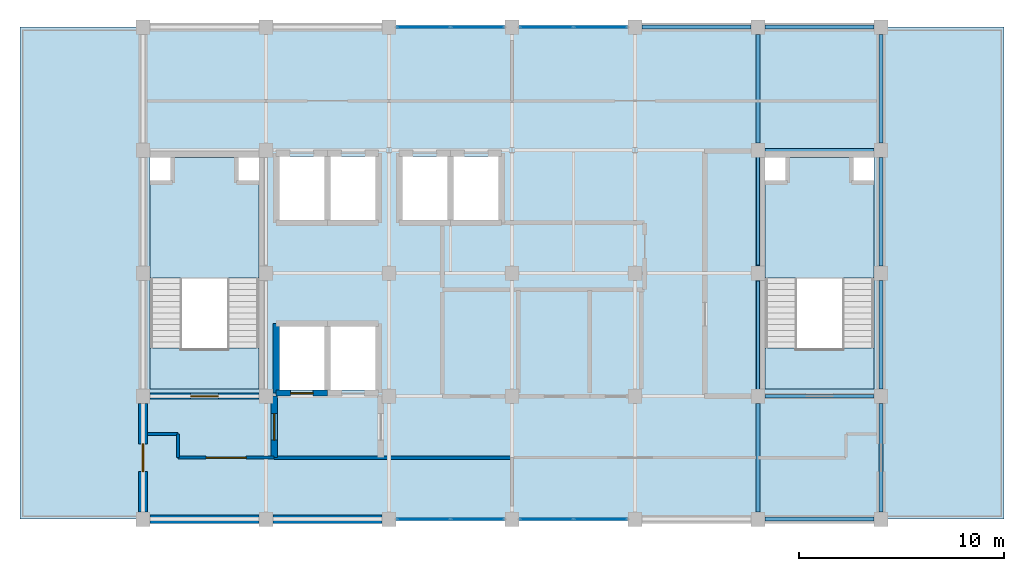
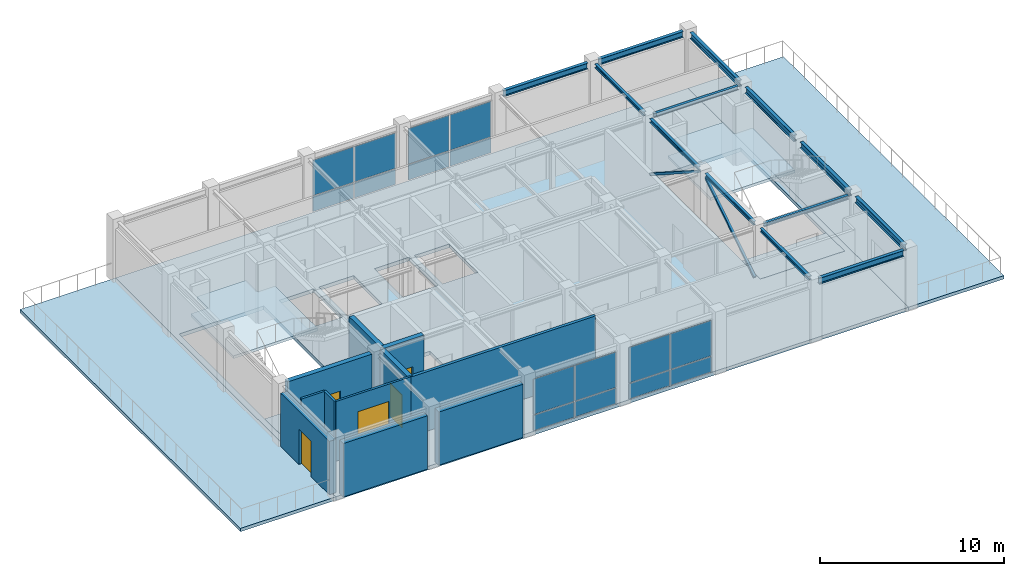
# One storey, part 11 of 14: 16 plates, 13 beams, 11 walls, 7 slabs, 5 doors, 2 members, 5 openings, 6 elements without a shape of their own.
"""IFC4 building model written with IfcOpenShell, lengths in metres."""

from ifc_helpers import new_model, si_unit, direction, frame, frame_2d, origin, origin_2d, place, context, subcontext, project, spatial, polyline, rectangle, hollow_rectangle, i_section, outline, extrude, material, layer, layer_set, material_profile, profile_set, type_object, element, fill, aggregate, save


model = new_model("IFC4")

# Units and contexts
model_context = context("Model", 3, precision=1e-05, world=origin(), true_north=direction((0.0, 1.0)))
body_context = subcontext(model_context, "Body", "Model", "MODEL_VIEW")
ifc_project = project(units=[si_unit("LENGTHUNIT", "METRE"), si_unit("AREAUNIT", "SQUARE_METRE"), si_unit("VOLUMEUNIT", "CUBIC_METRE"), si_unit("PLANEANGLEUNIT", "RADIAN"), si_unit("MASSUNIT", "GRAM", prefix="KILO")], contexts=[model_context])

# Site, building, storey
site_placement = place(None, origin())
site = spatial("IfcSite", under=ifc_project, at=site_placement, CompositionType="ELEMENT")
building_placement = place(site_placement, origin())
building = spatial("IfcBuilding", under=site, at=building_placement, Name="Zlatovratsky Civic Hall", CompositionType="ELEMENT")
storey_placement = place(building_placement, frame((0.0, 0.0, 67.800048828125)))
storey = spatial("IfcBuildingStorey", under=building, at=storey_placement, Name="L17", CompositionType="ELEMENT", Elevation=67.800048828125)

# Beams
ifc_material_1 = material(Name="Steel S355", Category="steel")
ifc_material_profile_1 = material_profile(ifc_material_1, i_section(OverallWidth=0.175048828125, OverallDepth=0.243896484375, WebThickness=0.007080078125, FlangeThickness=0.010986328125, FilletRadius=0.01611328125, at=origin_2d()), Name="25Sh1")
ifc_profile_set_1 = profile_set([ifc_material_profile_1], Name="Steel S355")
beam_type_1 = type_object("IfcBeamType", Name="Beam_Crown_25Sh1", PredefinedType="BEAM", material=ifc_profile_set_1)
for number, where, z_axis, x_axis, name in (
    (1, (96.35009765625, 84.0, 3.837890625), (1.0, 0.0, 0.0), (0.0, 1.0, 0.0), "BM-5204"),
    (2, (96.35009765625, 96.0, 3.837890625), (1.0, 0.0, 0.0), (0.0, 1.0, 0.0), "BM-5214"),
    (3, (96.0, 78.35009765625, 3.837890625), (0.0, 1.0, 0.0), (-1.0, 0.0, 0.0), "BM-5241"),
    (4, (96.0, 84.35009765625, 3.837890625), (0.0, 1.0, 0.0), (-1.0, 0.0, 0.0), "BM-5242"),
    (5, (96.0, 90.35009765625, 3.837890625), (0.0, 1.0, 0.0), (-1.0, 0.0, 0.0), "BM-5243"),
    (6, (96.0, 96.35009765625, 3.837890625), (0.0, 1.0, 0.0), (-1.0, 0.0, 0.0), "BM-5244"),
):
    element("IfcBeam", number, at=place(storey_placement, frame(where, z_axis=z_axis, x_axis=x_axis)), inside=storey, type_object=beam_type_1, Name=name, PredefinedType="BEAM", context=body_context, shape_type="SweptSolid", body=[
        extrude(i_section(OverallWidth=0.175048828125, OverallDepth=0.243896484375, WebThickness=0.007080078125, FlangeThickness=0.010986328125, FilletRadius=0.01611328125, at=origin_2d()), origin(), (0.0, 0.0, 1.0), 5.2998046875),
    ])
ifc_material_profile_2 = material_profile(ifc_material_1, i_section(OverallWidth=0.199951171875, OverallDepth=0.39990234375, WebThickness=0.008056640625, FlangeThickness=0.012939453125, FilletRadius=0.014892578125, at=origin_2d()), Name="40B2")
ifc_profile_set_2 = profile_set([ifc_material_profile_2], Name="Steel S355")
beam_type_2 = type_object("IfcBeamType", Name="Beam_Spandrel_40B2", PredefinedType="SPANDREL", material=ifc_profile_set_2)
for number, where, z_axis, x_axis, name in (
    (7, (96.35009765625, 78.0, 3.760009765625), (1.0, 0.0, 0.0), (0.0, 1.0, 0.0), "BM-5198"),
    (8, (90.35009765625, 102.0, 3.760009765625), (1.0, 0.0, 0.0), (0.0, 1.0, 0.0), "BM-5219"),
    (9, (96.35009765625, 102.0, 3.760009765625), (1.0, 0.0, 0.0), (0.0, 1.0, 0.0), "BM-5220"),
    (10, (102.0, 78.35009765625, 3.760009765625), (0.0, 1.0, 0.0), (-1.0, 0.0, 0.0), "BM-5245"),
    (11, (102.0, 84.35009765625, 3.760009765625), (0.0, 1.0, 0.0), (-1.0, 0.0, 0.0), "BM-5246"),
    (12, (102.0, 90.35009765625, 3.760009765625), (0.0, 1.0, 0.0), (-1.0, 0.0, 0.0), "BM-5247"),
    (13, (102.0, 96.35009765625, 3.760009765625), (0.0, 1.0, 0.0), (-1.0, 0.0, 0.0), "BM-5248"),
):
    element("IfcBeam", number, at=place(storey_placement, frame(where, z_axis=z_axis, x_axis=x_axis)), inside=storey, type_object=beam_type_2, Name=name, PredefinedType="SPANDREL", context=body_context, shape_type="SweptSolid", body=[
        extrude(i_section(OverallWidth=0.199951171875, OverallDepth=0.39990234375, WebThickness=0.008056640625, FlangeThickness=0.012939453125, FilletRadius=0.014892578125, at=origin_2d()), origin(), (0.0, 0.0, 1.0), 5.2998046875),
    ])

# Members
ifc_material_profile_3 = material_profile(ifc_material_1, hollow_rectangle(XDim=0.139892578125, YDim=0.139892578125, WallThickness=0.006103515625, at=origin_2d()), Name="SHS 140x140x6")
ifc_profile_set_3 = profile_set([ifc_material_profile_3], Name="Steel S355")
member_type = type_object("IfcMemberType", Name="Brace_Crown_SHS140", PredefinedType="BRACE", material=ifc_profile_set_3)
for number, where, z_axis, x_axis, name in (
    (14, (96.0, 84.35009765625, 0.25), (0.0, 0.841692087363, 0.539957803972), (-1.0, 0.0, 0.0), "MB-0174"),
    (15, (96.0, 90.35009765625, 3.64990234375), (0.0, 0.841692087363, -0.539957803972), (-1.0, 0.0, 0.0), "MB-0175"),
):
    element("IfcMember", number, at=place(storey_placement, frame(where, z_axis=z_axis, x_axis=x_axis)), inside=storey, type_object=member_type, Name=name, PredefinedType="BRACE", context=body_context, shape_type="SweptSolid", body=[
        extrude(hollow_rectangle(XDim=0.139892578125, YDim=0.139892578125, WallThickness=0.006103515625, at=origin_2d()), origin(), (0.0, 0.0, 1.0), 6.296630859375),
    ])

# Curtain wall, plates
ifc_material_2 = material(Name="Anodised bronze aluminium", Category="aluminium")
ifc_layer_1 = layer(ifc_material_2, 0.159912109375)
ifc_layer_set_1 = layer_set([ifc_layer_1], Name="Anodised bronze aluminium")
curtain_wall_type = type_object("IfcCurtainWallType", Name="CurtainWall_Bronze_5300x3540_25", PredefinedType="NOTDEFINED", material=ifc_layer_set_1)
curtain_wall_1_placement = place(storey_placement, origin())
curtain_wall_1 = element("IfcCurtainWall", 16, at=curtain_wall_1_placement, inside=storey, type_object=curtain_wall_type, Name="CW-177", PredefinedType="NOTDEFINED")
ifc_material_3 = material(Name="Solar-control triple glazing", Category="glass")
ifc_layer_2 = layer(ifc_material_3, 0.031982421875)
ifc_layer_set_2 = layer_set([ifc_layer_2], Name="Solar-control triple glazing")
plate_type = type_object("IfcPlateType", Name="Panel_BelvedereAcoustic_32", PredefinedType="CURTAIN_PANEL", material=ifc_layer_set_2)
plate_1_placement = place(storey_placement, frame((79.68994140625, 78.0, 0.06005859375), z_axis=(0.0, 0.0, 1.0), x_axis=(1.0, 0.0, 0.0)))
plate_1 = element("IfcPlate", 17, at=plate_1_placement, type_object=plate_type, Name="CW-25 panel 1.1", PredefinedType="CURTAIN_PANEL", context=body_context, shape_type="SweptSolid", body=[
    extrude(rectangle(XDim=2.56005859375, YDim=0.031982421875, at=origin_2d()), origin(), (0.0, 0.0, 1.0), 1.010009765625),
])
plate_2_placement = place(storey_placement, frame((79.68994140625, 78.0, 1.1298828125), z_axis=(0.0, 0.0, 1.0), x_axis=(1.0, 0.0, 0.0)))
plate_2 = element("IfcPlate", 18, at=plate_2_placement, type_object=plate_type, Name="CW-25 panel 1.2", PredefinedType="CURTAIN_PANEL", context=body_context, shape_type="SweptSolid", body=[
    extrude(rectangle(XDim=2.56005859375, YDim=0.031982421875, at=origin_2d()), origin(), (0.0, 0.0, 1.0), 2.35009765625),
])
plate_3_placement = place(storey_placement, frame((82.31005859375, 78.0, 0.06005859375), z_axis=(0.0, 0.0, 1.0), x_axis=(1.0, 0.0, 0.0)))
plate_3 = element("IfcPlate", 19, at=plate_3_placement, type_object=plate_type, Name="CW-25 panel 2.1", PredefinedType="CURTAIN_PANEL", context=body_context, shape_type="SweptSolid", body=[
    extrude(rectangle(XDim=2.56005859375, YDim=0.031982421875, at=origin_2d()), origin(), (0.0, 0.0, 1.0), 1.010009765625),
])
plate_4_placement = place(storey_placement, frame((82.31005859375, 78.0, 1.1298828125), z_axis=(0.0, 0.0, 1.0), x_axis=(1.0, 0.0, 0.0)))
plate_4 = element("IfcPlate", 20, at=plate_4_placement, type_object=plate_type, Name="CW-25 panel 2.2", PredefinedType="CURTAIN_PANEL", context=body_context, shape_type="SweptSolid", body=[
    extrude(rectangle(XDim=2.56005859375, YDim=0.031982421875, at=origin_2d()), origin(), (0.0, 0.0, 1.0), 2.35009765625),
])
aggregate(curtain_wall_1, [plate_1, plate_2, plate_3, plate_4])

curtain_wall_2_placement = place(storey_placement, origin())
curtain_wall_2 = element("IfcCurtainWall", 21, at=curtain_wall_2_placement, inside=storey, type_object=curtain_wall_type, Name="CW-178", PredefinedType="NOTDEFINED")
plate_5_placement = place(storey_placement, frame((85.68994140625, 78.0, 0.06005859375), z_axis=(0.0, 0.0, 1.0), x_axis=(1.0, 0.0, 0.0)))
plate_5 = element("IfcPlate", 22, at=plate_5_placement, type_object=plate_type, Name="CW-25 panel 1.1", PredefinedType="CURTAIN_PANEL", context=body_context, shape_type="SweptSolid", body=[
    extrude(rectangle(XDim=2.56005859375, YDim=0.031982421875, at=origin_2d()), origin(), (0.0, 0.0, 1.0), 1.010009765625),
])
plate_6_placement = place(storey_placement, frame((85.68994140625, 78.0, 1.1298828125), z_axis=(0.0, 0.0, 1.0), x_axis=(1.0, 0.0, 0.0)))
plate_6 = element("IfcPlate", 23, at=plate_6_placement, type_object=plate_type, Name="CW-25 panel 1.2", PredefinedType="CURTAIN_PANEL", context=body_context, shape_type="SweptSolid", body=[
    extrude(rectangle(XDim=2.56005859375, YDim=0.031982421875, at=origin_2d()), origin(), (0.0, 0.0, 1.0), 2.35009765625),
])
plate_7_placement = place(storey_placement, frame((88.31005859375, 78.0, 0.06005859375), z_axis=(0.0, 0.0, 1.0), x_axis=(1.0, 0.0, 0.0)))
plate_7 = element("IfcPlate", 24, at=plate_7_placement, type_object=plate_type, Name="CW-25 panel 2.1", PredefinedType="CURTAIN_PANEL", context=body_context, shape_type="SweptSolid", body=[
    extrude(rectangle(XDim=2.56005859375, YDim=0.031982421875, at=origin_2d()), origin(), (0.0, 0.0, 1.0), 1.010009765625),
])
plate_8_placement = place(storey_placement, frame((88.31005859375, 78.0, 1.1298828125), z_axis=(0.0, 0.0, 1.0), x_axis=(1.0, 0.0, 0.0)))
plate_8 = element("IfcPlate", 25, at=plate_8_placement, type_object=plate_type, Name="CW-25 panel 2.2", PredefinedType="CURTAIN_PANEL", context=body_context, shape_type="SweptSolid", body=[
    extrude(rectangle(XDim=2.56005859375, YDim=0.031982421875, at=origin_2d()), origin(), (0.0, 0.0, 1.0), 2.35009765625),
])
aggregate(curtain_wall_2, [plate_5, plate_6, plate_7, plate_8])

curtain_wall_3_placement = place(storey_placement, origin())
curtain_wall_3 = element("IfcCurtainWall", 26, at=curtain_wall_3_placement, inside=storey, type_object=curtain_wall_type, Name="CW-179", PredefinedType="NOTDEFINED")
plate_9_placement = place(storey_placement, frame((79.68994140625, 102.0, 0.06005859375), z_axis=(0.0, 0.0, 1.0), x_axis=(1.0, 0.0, 0.0)))
plate_9 = element("IfcPlate", 27, at=plate_9_placement, type_object=plate_type, Name="CW-25 panel 1.1", PredefinedType="CURTAIN_PANEL", context=body_context, shape_type="SweptSolid", body=[
    extrude(rectangle(XDim=2.56005859375, YDim=0.031982421875, at=origin_2d()), origin(), (0.0, 0.0, 1.0), 1.010009765625),
])
plate_10_placement = place(storey_placement, frame((79.68994140625, 102.0, 1.1298828125), z_axis=(0.0, 0.0, 1.0), x_axis=(1.0, 0.0, 0.0)))
plate_10 = element("IfcPlate", 28, at=plate_10_placement, type_object=plate_type, Name="CW-25 panel 1.2", PredefinedType="CURTAIN_PANEL", context=body_context, shape_type="SweptSolid", body=[
    extrude(rectangle(XDim=2.56005859375, YDim=0.031982421875, at=origin_2d()), origin(), (0.0, 0.0, 1.0), 2.35009765625),
])
plate_11_placement = place(storey_placement, frame((82.31005859375, 102.0, 0.06005859375), z_axis=(0.0, 0.0, 1.0), x_axis=(1.0, 0.0, 0.0)))
plate_11 = element("IfcPlate", 29, at=plate_11_placement, type_object=plate_type, Name="CW-25 panel 2.1", PredefinedType="CURTAIN_PANEL", context=body_context, shape_type="SweptSolid", body=[
    extrude(rectangle(XDim=2.56005859375, YDim=0.031982421875, at=origin_2d()), origin(), (0.0, 0.0, 1.0), 1.010009765625),
])
plate_12_placement = place(storey_placement, frame((82.31005859375, 102.0, 1.1298828125), z_axis=(0.0, 0.0, 1.0), x_axis=(1.0, 0.0, 0.0)))
plate_12 = element("IfcPlate", 30, at=plate_12_placement, type_object=plate_type, Name="CW-25 panel 2.2", PredefinedType="CURTAIN_PANEL", context=body_context, shape_type="SweptSolid", body=[
    extrude(rectangle(XDim=2.56005859375, YDim=0.031982421875, at=origin_2d()), origin(), (0.0, 0.0, 1.0), 2.35009765625),
])
aggregate(curtain_wall_3, [plate_9, plate_10, plate_11, plate_12])

curtain_wall_4_placement = place(storey_placement, origin())
curtain_wall_4 = element("IfcCurtainWall", 31, at=curtain_wall_4_placement, inside=storey, type_object=curtain_wall_type, Name="CW-180", PredefinedType="NOTDEFINED")
plate_13_placement = place(storey_placement, frame((85.68994140625, 102.0, 0.06005859375), z_axis=(0.0, 0.0, 1.0), x_axis=(1.0, 0.0, 0.0)))
plate_13 = element("IfcPlate", 32, at=plate_13_placement, type_object=plate_type, Name="CW-25 panel 1.1", PredefinedType="CURTAIN_PANEL", context=body_context, shape_type="SweptSolid", body=[
    extrude(rectangle(XDim=2.56005859375, YDim=0.031982421875, at=origin_2d()), origin(), (0.0, 0.0, 1.0), 1.010009765625),
])
plate_14_placement = place(storey_placement, frame((85.68994140625, 102.0, 1.1298828125), z_axis=(0.0, 0.0, 1.0), x_axis=(1.0, 0.0, 0.0)))
plate_14 = element("IfcPlate", 33, at=plate_14_placement, type_object=plate_type, Name="CW-25 panel 1.2", PredefinedType="CURTAIN_PANEL", context=body_context, shape_type="SweptSolid", body=[
    extrude(rectangle(XDim=2.56005859375, YDim=0.031982421875, at=origin_2d()), origin(), (0.0, 0.0, 1.0), 2.35009765625),
])
plate_15_placement = place(storey_placement, frame((88.31005859375, 102.0, 0.06005859375), z_axis=(0.0, 0.0, 1.0), x_axis=(1.0, 0.0, 0.0)))
plate_15 = element("IfcPlate", 34, at=plate_15_placement, type_object=plate_type, Name="CW-25 panel 2.1", PredefinedType="CURTAIN_PANEL", context=body_context, shape_type="SweptSolid", body=[
    extrude(rectangle(XDim=2.56005859375, YDim=0.031982421875, at=origin_2d()), origin(), (0.0, 0.0, 1.0), 1.010009765625),
])
plate_16_placement = place(storey_placement, frame((88.31005859375, 102.0, 1.1298828125), z_axis=(0.0, 0.0, 1.0), x_axis=(1.0, 0.0, 0.0)))
plate_16 = element("IfcPlate", 35, at=plate_16_placement, type_object=plate_type, Name="CW-25 panel 2.2", PredefinedType="CURTAIN_PANEL", context=body_context, shape_type="SweptSolid", body=[
    extrude(rectangle(XDim=2.56005859375, YDim=0.031982421875, at=origin_2d()), origin(), (0.0, 0.0, 1.0), 2.35009765625),
])
aggregate(curtain_wall_4, [plate_13, plate_14, plate_15, plate_16])

# Slabs
ifc_material_4 = material(Name="Concrete C30/37 (B35)", Category="concrete")
ifc_layer_3 = layer(ifc_material_4, 0.239990234375)
ifc_layer_set_3 = layer_set([ifc_layer_3], Name="Concrete C30/37 (B35)")
slab_type_1 = type_object("IfcSlabType", Name="Slab_CivicPodiumFloor_240", PredefinedType="FLOOR", material=ifc_layer_set_3)
slab_1_placement = place(storey_placement, frame((0.0, 0.0, -0.239990234375)))
element("IfcSlab", 36, at=slab_1_placement, inside=storey, type_object=slab_type_1, Name="SL-086", PredefinedType="FLOOR", context=body_context, shape_type="SweptSolid", body=[
    extrude(outline(polyline([(66.0, 78.0), (102.0, 78.0), (102.0, 102.0), (66.0, 102.0), (66.0, 78.0)]), holes=[polyline([(66.35009765625, 84.35009765625), (71.64990234375, 84.35009765625), (71.64990234375, 95.64990234375), (66.35009765625, 95.64990234375), (66.35009765625, 84.35009765625)]), polyline([(96.35009765625, 84.35009765625), (101.64990234375, 84.35009765625), (101.64990234375, 95.64990234375), (96.35009765625, 95.64990234375), (96.35009765625, 84.35009765625)]), polyline([(72.64990234375, 84.300048828125), (74.85009765625, 84.300048828125), (74.85009765625, 87.39990234375), (72.64990234375, 87.39990234375), (72.64990234375, 84.300048828125)]), polyline([(75.14990234375, 84.300048828125), (77.35009765625, 84.300048828125), (77.35009765625, 87.39990234375), (75.14990234375, 87.39990234375), (75.14990234375, 84.300048828125)]), polyline([(72.64990234375, 92.60009765625), (74.85009765625, 92.60009765625), (74.85009765625, 95.699951171875), (72.64990234375, 95.699951171875), (72.64990234375, 92.60009765625)]), polyline([(75.14990234375, 92.60009765625), (77.35009765625, 92.60009765625), (77.35009765625, 95.699951171875), (75.14990234375, 95.699951171875), (75.14990234375, 92.60009765625)]), polyline([(78.64990234375, 92.60009765625), (80.85009765625, 92.60009765625), (80.85009765625, 95.699951171875), (78.64990234375, 95.699951171875), (78.64990234375, 92.60009765625)]), polyline([(81.14990234375, 92.60009765625), (83.35009765625, 92.60009765625), (83.35009765625, 95.699951171875), (81.14990234375, 95.699951171875), (81.14990234375, 92.60009765625)])]), origin(), (0.0, 0.0, 1.0), 0.239990234375),
])
slab_2_placement = place(storey_placement, frame((0.0, 0.0, -0.239990234375)))
element("IfcSlab", 37, at=slab_2_placement, inside=storey, type_object=slab_type_1, Name="SL-087", PredefinedType="FLOOR", context=body_context, shape_type="SweptSolid", body=[
    extrude(outline(polyline([(66.35009765625, 84.35009765625), (71.64990234375, 84.35009765625), (71.64990234375, 86.35009765625), (66.35009765625, 86.35009765625), (66.35009765625, 84.35009765625)])), origin(), (0.0, 0.0, 1.0), 0.239990234375),
])
slab_3_placement = place(storey_placement, frame((0.0, 0.0, -0.239990234375)))
element("IfcSlab", 38, at=slab_3_placement, inside=storey, type_object=slab_type_1, Name="SL-088", PredefinedType="FLOOR", context=body_context, shape_type="SweptSolid", body=[
    extrude(outline(polyline([(96.35009765625, 84.35009765625), (101.64990234375, 84.35009765625), (101.64990234375, 86.35009765625), (96.35009765625, 86.35009765625), (96.35009765625, 84.35009765625)])), origin(), (0.0, 0.0, 1.0), 0.239990234375),
])
ifc_layer_4 = layer(ifc_material_4, 0.219970703125)
ifc_layer_set_4 = layer_set([ifc_layer_4], Name="Concrete C30/37 (B35)")
slab_type_2 = type_object("IfcSlabType", Name="Slab_OutdoorStoneTerrace_220", PredefinedType="FLOOR", material=ifc_layer_set_4)
slab_4_placement = place(storey_placement, frame((0.0, 0.0, -0.219970703125)))
element("IfcSlab", 39, at=slab_4_placement, inside=storey, type_object=slab_type_2, Name="SL-089", PredefinedType="FLOOR", context=body_context, shape_type="SweptSolid", body=[
    extrude(outline(polyline([(60.0, 78.0), (66.0, 78.0), (66.0, 102.0), (60.0, 102.0), (60.0, 78.0)])), origin(), (0.0, 0.0, 1.0), 0.219970703125),
])
slab_5_placement = place(storey_placement, frame((0.0, 0.0, -0.219970703125)))
element("IfcSlab", 40, at=slab_5_placement, inside=storey, type_object=slab_type_2, Name="SL-090", PredefinedType="FLOOR", context=body_context, shape_type="SweptSolid", body=[
    extrude(outline(polyline([(102.0, 78.0), (108.0, 78.0), (108.0, 102.0), (102.0, 102.0), (102.0, 78.0)])), origin(), (0.0, 0.0, 1.0), 0.219970703125),
])

# Stair, slab
stair_type = type_object("IfcStairType", Name="Stair_HALF_26R_1550W_05", PredefinedType="HALF_TURN_STAIR", material=ifc_material_4)
stair_1_placement = place(storey_placement, origin())
stair_1 = element("IfcStair", 41, at=stair_1_placement, inside=storey, type_object=stair_type, Name="ST-018", PredefinedType="HALF_TURN_STAIR")
ifc_layer_5 = layer(ifc_material_4, 0.179931640625)
ifc_layer_set_5 = layer_set([ifc_layer_5], Name="Concrete C30/37 (B35)")
slab_type_3 = type_object("IfcSlabType", Name="Slab_StairLanding_180", PredefinedType="LANDING", material=ifc_layer_set_5)
slab_6_placement = place(storey_placement, frame((0.0, 0.0, 1.919921875)))
slab_6 = element("IfcSlab", 42, at=slab_6_placement, type_object=slab_type_3, Name="SL-LD-18", PredefinedType="LANDING", context=body_context, shape_type="SweptSolid", body=[
    extrude(outline(polyline([(66.35009765625, 89.77001953125), (71.64990234375, 89.77001953125), (71.64990234375, 94.39990234375), (70.550048828125, 94.39990234375), (70.550048828125, 95.64990234375), (67.449951171875, 95.64990234375), (67.449951171875, 94.39990234375), (66.35009765625, 94.39990234375), (66.35009765625, 89.77001953125)])), origin(), (0.0, 0.0, 1.0), 0.179931640625),
])
aggregate(stair_1, [slab_6])

stair_2_placement = place(storey_placement, origin())
stair_2 = element("IfcStair", 43, at=stair_2_placement, inside=storey, type_object=stair_type, Name="ST-037", PredefinedType="HALF_TURN_STAIR")
slab_7_placement = place(storey_placement, frame((0.0, 0.0, 1.919921875)))
slab_7 = element("IfcSlab", 44, at=slab_7_placement, type_object=slab_type_3, Name="SL-LD-37", PredefinedType="LANDING", context=body_context, shape_type="SweptSolid", body=[
    extrude(outline(polyline([(96.35009765625, 89.77001953125), (101.64990234375, 89.77001953125), (101.64990234375, 94.39990234375), (100.550048828125, 94.39990234375), (100.550048828125, 95.64990234375), (97.449951171875, 95.64990234375), (97.449951171875, 94.39990234375), (96.35009765625, 94.39990234375), (96.35009765625, 89.77001953125)])), origin(), (0.0, 0.0, 1.0), 0.179931640625),
])
aggregate(stair_2, [slab_7])

# Wall
ifc_material_5 = material(Name="Acoustic ceramic blockwork", Category="masonry")
ifc_layer_6 = layer(ifc_material_5, 0.179931640625)
ifc_layer_set_6 = layer_set([ifc_layer_6], Name="Acoustic ceramic blockwork")
wall_type_1 = type_object("IfcWallType", Name="Wall_AcousticChamberPartition_180", PredefinedType="PARTITIONING", material=ifc_layer_set_6)
wall_1_placement = place(storey_placement, frame((72.39990234375, 81.0, 0.0), z_axis=(0.0, 0.0, 1.0), x_axis=(1.0, 0.0, 0.0)))
element("IfcWall", 45, at=wall_1_placement, inside=storey, type_object=wall_type_1, Name="WL-6802", PredefinedType="PARTITIONING", context=body_context, shape_type="SweptSolid", body=[
    extrude(rectangle(XDim=11.60009765625, YDim=0.179931640625, at=frame_2d((5.800048828125, 0.0))), origin(), (0.0, 0.0, 1.0), 3.9599609375),
])

# Wall, opening, door
ifc_material_6 = material(Name="Fire-rated gypsum board framing", Category="gypsum")
ifc_layer_7 = layer(ifc_material_6, 0.139892578125)
ifc_layer_set_7 = layer_set([ifc_layer_7], Name="Fire-rated gypsum board framing")
wall_type_2 = type_object("IfcWallType", Name="Wall_OfficePartition_140", PredefinedType="PARTITIONING", material=ifc_layer_set_7)
wall_2_placement = place(storey_placement, frame((67.699951171875, 81.0, 0.0), z_axis=(0.0, 0.0, 1.0), x_axis=(1.0, 0.0, 0.0)))
wall_2 = element("IfcWall", 46, at=wall_2_placement, inside=storey, type_object=wall_type_2, Name="WL-6792", PredefinedType="PARTITIONING", context=body_context, shape_type="SweptSolid", body=[
    extrude(rectangle(XDim=4.699951171875, YDim=0.139892578125, at=frame_2d((2.35009765625, 0.0))), origin(), (0.0, 0.0, 1.0), 3.9599609375),
])
opening_1_placement = place(wall_2_placement, frame((1.375, 0.0, 0.0)))
opening_1 = element("IfcOpeningElement", 47, at=opening_1_placement, cuts=wall_2, Name="Opening D-27", PredefinedType="OPENING", context=body_context, shape_type="SweptSolid", body=[
    extrude(rectangle(XDim=1.949951171875, YDim=2.800048828125, at=frame_2d((0.97509765625, 1.39990234375))), frame((0.0, 0.0849609375, 0.0), z_axis=(0.0, -1.0, 0.0), x_axis=(1.0, 0.0, 0.0)), (0.0, 0.0, 1.0), 0.169677734375),
])
ifc_material_7 = material(Name="Solid oak joinery in steel frame", Category="steel")
door_type_1 = type_object("IfcDoorType", Name="Door_MayoralCabinet_1950x2800", OperationType="DOUBLE_DOOR_SINGLE_SWING", PredefinedType="DOOR", material=ifc_material_7)
door_1_placement = place(opening_1_placement, origin())
door_1 = element("IfcDoor", 48, at=door_1_placement, inside=storey, type_object=door_type_1, Name="DR-5562", OperationType="DOUBLE_DOOR_SINGLE_SWING", OverallHeight=2.800048828125, OverallWidth=1.949951171875, PredefinedType="DOOR", context=body_context, shape_type="SweptSolid", body=[
    extrude(rectangle(XDim=1.949951171875, YDim=2.800048828125, at=frame_2d((0.97509765625, 1.39990234375))), frame((0.0, 0.02490234375, 0.0), z_axis=(0.0, -1.0, 0.0), x_axis=(1.0, 0.0, 0.0)), (0.0, 0.0, 1.0), 0.050048828125),
])
fill(opening_1, door_1)

# Walls
wall_3_placement = place(storey_placement, frame((67.699951171875, 81.0, 0.0), z_axis=(0.0, 0.0, 1.0), x_axis=(0.0, 1.0, 0.0)))
element("IfcWall", 49, at=wall_3_placement, inside=storey, type_object=wall_type_2, Name="WL-6804", PredefinedType="PARTITIONING", context=body_context, shape_type="SweptSolid", body=[
    extrude(rectangle(XDim=1.14990234375, YDim=0.139892578125, at=frame_2d((0.574951171875, 0.0))), origin(), (0.0, 0.0, 1.0), 3.9599609375),
])
wall_4_placement = place(storey_placement, frame((67.699951171875, 82.14990234375, 0.0), z_axis=(0.0, 0.0, 1.0), x_axis=(-1.0, 0.0, 0.0)))
element("IfcWall", 50, at=wall_4_placement, inside=storey, type_object=wall_type_2, Name="WL-6805", PredefinedType="PARTITIONING", context=body_context, shape_type="SweptSolid", body=[
    extrude(rectangle(XDim=1.489990234375, YDim=0.139892578125, at=frame_2d((0.7451171875, 0.0))), origin(), (0.0, 0.0, 1.0), 3.9599609375),
])

# Wall, opening, door
ifc_material_8 = material(Name="Concrete C35/45 (B40)", Category="concrete")
ifc_layer_8 = layer(ifc_material_8, 0.300048828125)
ifc_layer_set_8 = layer_set([ifc_layer_8], Name="Concrete C35/45 (B40)")
wall_type_3 = type_object("IfcWallType", Name="Wall_StairAndLiftShaft_300", PredefinedType="SHEAR", material=ifc_layer_set_8)
wall_5_placement = place(storey_placement, frame((66.35009765625, 84.0, 0.0), z_axis=(0.0, 0.0, 1.0), x_axis=(1.0, 0.0, 0.0)))
wall_5 = element("IfcWall", 51, at=wall_5_placement, inside=storey, type_object=wall_type_3, Name="WL-5137", PredefinedType="SHEAR", context=body_context, shape_type="SweptSolid", body=[
    extrude(rectangle(XDim=5.2998046875, YDim=0.300048828125, at=frame_2d((2.64990234375, 0.0))), origin(), (0.0, 0.0, 1.0), 3.9599609375),
])
opening_2_placement = place(wall_5_placement, frame((1.97509765625, 0.0, 0.0)))
opening_2 = element("IfcOpeningElement", 52, at=opening_2_placement, cuts=wall_5, Name="Opening D-17", PredefinedType="OPENING", context=body_context, shape_type="SweptSolid", body=[
    extrude(rectangle(XDim=1.35009765625, YDim=2.199951171875, at=frame_2d((0.675048828125, 1.10009765625))), frame((0.0, 0.1650390625, 0.0), z_axis=(0.0, -1.0, 0.0), x_axis=(1.0, 0.0, 0.0)), (0.0, 0.0, 1.0), 0.329833984375),
])
ifc_material_9 = material(Name="Insulated painted fire-rated steel leaf", Category="steel")
door_type_2 = type_object("IfcDoorType", Name="Door_StairwellFireTower_1350x2200", OperationType="NOTDEFINED", PredefinedType="DOOR", material=ifc_material_9)
door_2_placement = place(opening_2_placement, origin())
door_2 = element("IfcDoor", 53, at=door_2_placement, inside=storey, type_object=door_type_2, Name="DR-5018", OperationType="SINGLE_SWING_LEFT", OverallHeight=2.199951171875, OverallWidth=1.35009765625, PredefinedType="DOOR", context=body_context, shape_type="SweptSolid", body=[
    extrude(rectangle(XDim=1.35009765625, YDim=2.199951171875, at=frame_2d((0.675048828125, 1.10009765625))), frame((0.0, 0.02490234375, 0.0), z_axis=(0.0, -1.0, 0.0), x_axis=(1.0, 0.0, 0.0)), (0.0, 0.0, 1.0), 0.050048828125),
])
fill(opening_2, door_2)

wall_6_placement = place(storey_placement, frame((72.5, 84.14990234375, 0.0), z_axis=(0.0, 0.0, 1.0), x_axis=(1.0, 0.0, 0.0)))
wall_6 = element("IfcWall", 54, at=wall_6_placement, inside=storey, type_object=wall_type_3, Name="WL-5544", PredefinedType="SHEAR", context=body_context, shape_type="SweptSolid", body=[
    extrude(rectangle(XDim=2.5, YDim=0.300048828125, at=frame_2d((1.25, 0.0))), origin(), (0.0, 0.0, 1.0), 3.9599609375),
])
opening_3_placement = place(wall_6_placement, frame((0.699951171875, 0.0, 0.0)))
opening_3 = element("IfcOpeningElement", 55, at=opening_3_placement, cuts=wall_6, Name="Opening LD-01", PredefinedType="OPENING", context=body_context, shape_type="SweptSolid", body=[
    extrude(rectangle(XDim=1.10009765625, YDim=2.10009765625, at=frame_2d((0.550048828125, 1.050048828125))), frame((0.0, 0.1650390625, 0.0), z_axis=(0.0, -1.0, 0.0), x_axis=(1.0, 0.0, 0.0)), (0.0, 0.0, 1.0), 0.329833984375),
])
ifc_material_10 = material(Name="Brushed stainless steel AISI 304", Category="steel")
door_type_3 = type_object("IfcDoorType", Name="Door_LiftLandingFire_1100x2100", OperationType="DOUBLE_DOOR_SLIDING", PredefinedType="DOOR", material=ifc_material_10)
door_3_placement = place(opening_3_placement, origin())
door_3 = element("IfcDoor", 56, at=door_3_placement, inside=storey, type_object=door_type_3, Name="Lift landing door LD-5076", OperationType="DOUBLE_DOOR_SLIDING", OverallHeight=2.10009765625, OverallWidth=1.10009765625, PredefinedType="DOOR", context=body_context, shape_type="SweptSolid", body=[
    extrude(rectangle(XDim=1.10009765625, YDim=2.10009765625, at=frame_2d((0.550048828125, 1.050048828125))), frame((0.0, 0.02490234375, 0.0), z_axis=(0.0, -1.0, 0.0), x_axis=(1.0, 0.0, 0.0)), (0.0, 0.0, 1.0), 0.050048828125),
])
fill(opening_3, door_3)

# Wall
wall_7_placement = place(storey_placement, frame((72.5, 84.14990234375, 0.0), z_axis=(0.0, 0.0, 1.0), x_axis=(0.0, 1.0, 0.0)))
element("IfcWall", 57, at=wall_7_placement, inside=storey, type_object=wall_type_3, Name="WL-5546", PredefinedType="SHEAR", context=body_context, shape_type="SweptSolid", body=[
    extrude(rectangle(XDim=3.400146484375, YDim=0.300048828125, at=frame_2d((1.7001953125, 0.0))), origin(), (0.0, 0.0, 1.0), 3.9599609375),
])

# Wall, opening, door
wall_8_placement = place(storey_placement, frame((72.39990234375, 81.0, 0.0), z_axis=(0.0, 0.0, 1.0), x_axis=(0.0, 1.0, 0.0)))
wall_8 = element("IfcWall", 58, at=wall_8_placement, inside=storey, type_object=wall_type_3, Name="WL-6783", PredefinedType="SHEAR", context=body_context, shape_type="SweptSolid", body=[
    extrude(rectangle(XDim=3.0, YDim=0.300048828125, at=frame_2d((1.5, 0.0))), origin(), (0.0, 0.0, 1.0), 3.9599609375),
])
opening_4_placement = place(wall_8_placement, frame((0.85009765625, 0.0, 0.0)))
opening_4 = element("IfcOpeningElement", 59, at=opening_4_placement, cuts=wall_8, Name="Opening D-18", PredefinedType="OPENING", context=body_context, shape_type="SweptSolid", body=[
    extrude(rectangle(XDim=1.300048828125, YDim=2.199951171875, at=frame_2d((0.64990234375, 1.10009765625))), frame((0.0, 0.1650390625, 0.0), z_axis=(0.0, -1.0, 0.0), x_axis=(1.0, 0.0, 0.0)), (0.0, 0.0, 1.0), 0.329833984375),
])
door_type_4 = type_object("IfcDoorType", Name="Door_FireLobbyAirlock_1300x2200", OperationType="NOTDEFINED", PredefinedType="DOOR", material=ifc_material_9)
door_4_placement = place(opening_4_placement, origin())
door_4 = element("IfcDoor", 60, at=door_4_placement, inside=storey, type_object=door_type_4, Name="DR-5556", OperationType="SINGLE_SWING_RIGHT", OverallHeight=2.199951171875, OverallWidth=1.300048828125, PredefinedType="DOOR", context=body_context, shape_type="SweptSolid", body=[
    extrude(rectangle(XDim=1.300048828125, YDim=2.199951171875, at=frame_2d((0.64990234375, 1.10009765625))), frame((0.0, 0.02490234375, 0.0), z_axis=(0.0, -1.0, 0.0), x_axis=(1.0, 0.0, 0.0)), (0.0, 0.0, 1.0), 0.050048828125),
])
fill(opening_4, door_4)

# Walls
ifc_layer_9 = layer(ifc_material_5, 0.280029296875, Name="Backing")
ifc_material_11 = material(Name="Podolsk limestone ashlar", Category="masonry")
ifc_layer_10 = layer(ifc_material_11, 0.139892578125, Name="Finish")
ifc_layer_set_9 = layer_set([ifc_layer_9, ifc_layer_10], Name="Acoustic ceramic blockwork")
wall_type_4 = type_object("IfcWallType", Name="Wall_TowerLimestoneAshlar_420", PredefinedType="SOLIDWALL", material=ifc_layer_set_9)
for number, where, z_axis, x_axis, name in (
    (61, (66.35009765625, 78.0, 0.0), (0.0, 0.0, 1.0), (1.0, 0.0, 0.0), "WL-0669"),
    (62, (72.35009765625, 78.0, 0.0), (0.0, 0.0, 1.0), (1.0, 0.0, 0.0), "WL-0670"),
):
    element("IfcWall", number, at=place(storey_placement, frame(where, z_axis=z_axis, x_axis=x_axis)), inside=storey, type_object=wall_type_4, Name=name, PredefinedType="SOLIDWALL", context=body_context, shape_type="SweptSolid", body=[
        extrude(rectangle(XDim=5.2998046875, YDim=0.419921875, at=frame_2d((2.64990234375, 0.0))), origin(), (0.0, 0.0, 1.0), 3.5400390625),
    ])

# Wall, opening, door
wall_9_placement = place(storey_placement, frame((66.0, 78.35009765625, 0.0), z_axis=(0.0, 0.0, 1.0), x_axis=(0.0, 1.0, 0.0)))
wall_9 = element("IfcWall", 63, at=wall_9_placement, inside=storey, type_object=wall_type_4, Name="WL-0677", PredefinedType="SOLIDWALL", context=body_context, shape_type="SweptSolid", body=[
    extrude(rectangle(XDim=5.2998046875, YDim=0.419921875, at=frame_2d((2.64990234375, 0.0))), origin(), (0.0, 0.0, 1.0), 3.5400390625),
])
opening_5_placement = place(wall_9_placement, frame((1.97509765625, 0.0, 0.0)))
opening_5 = element("IfcOpeningElement", 64, at=opening_5_placement, cuts=wall_9, Name="Opening D-09", PredefinedType="OPENING", context=body_context, shape_type="SweptSolid", body=[
    extrude(rectangle(XDim=1.35009765625, YDim=2.35009765625, at=frame_2d((0.675048828125, 1.175048828125))), frame((0.0, 0.224853515625, 0.0), z_axis=(0.0, -1.0, 0.0), x_axis=(1.0, 0.0, 0.0)), (0.0, 0.0, 1.0), 0.44970703125),
])
ifc_material_12 = material(Name="Monumental cast bronze glazed portal", Category="aluminium")
door_type_5 = type_object("IfcDoorType", Name="Door_ProtocolTerrace_1350x2350", OperationType="NOTDEFINED", PredefinedType="DOOR", material=ifc_material_12)
door_5_placement = place(opening_5_placement, origin())
door_5 = element("IfcDoor", 65, at=door_5_placement, inside=storey, type_object=door_type_5, Name="DR-0028", OperationType="SINGLE_SWING_RIGHT", OverallHeight=2.35009765625, OverallWidth=1.35009765625, PredefinedType="DOOR", context=body_context, shape_type="SweptSolid", body=[
    extrude(rectangle(XDim=1.35009765625, YDim=2.35009765625, at=frame_2d((0.675048828125, 1.175048828125))), frame((0.0, 0.02490234375, 0.0), z_axis=(0.0, -1.0, 0.0), x_axis=(1.0, 0.0, 0.0)), (0.0, 0.0, 1.0), 0.050048828125),
])
fill(opening_5, door_5)

save(model, "model.ifc")
